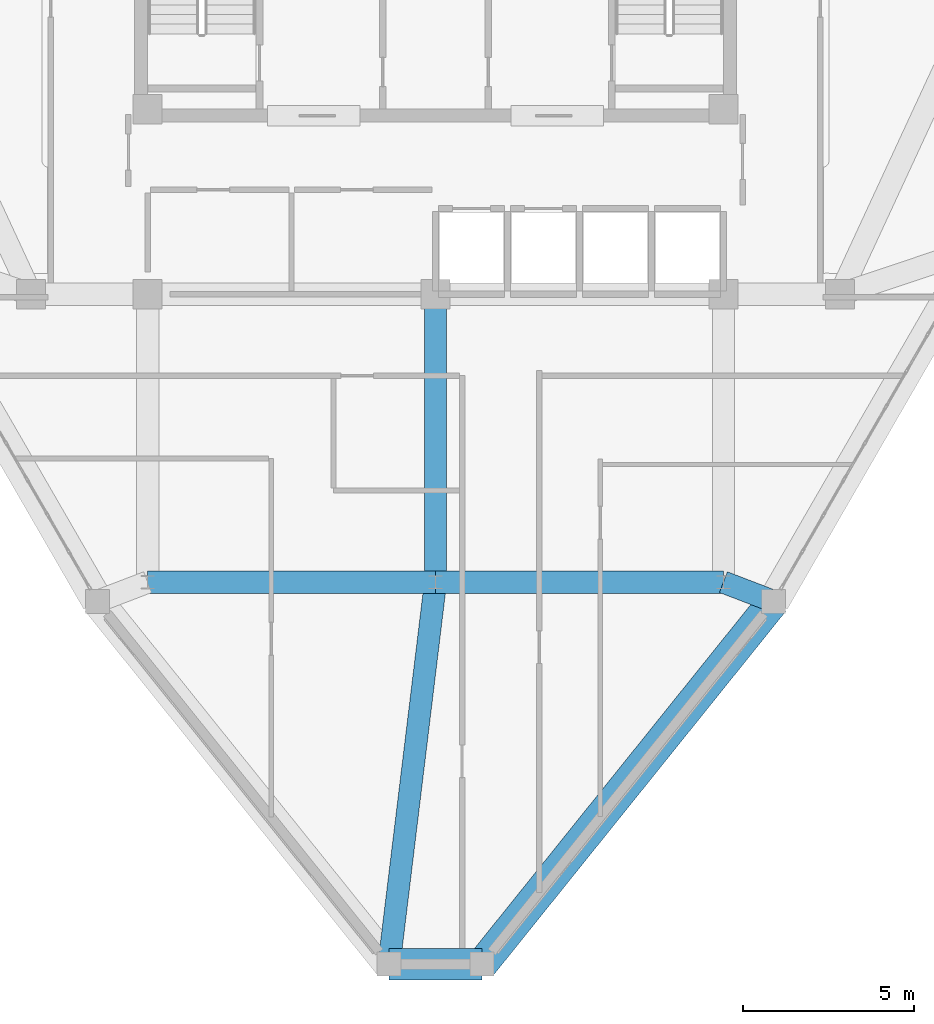
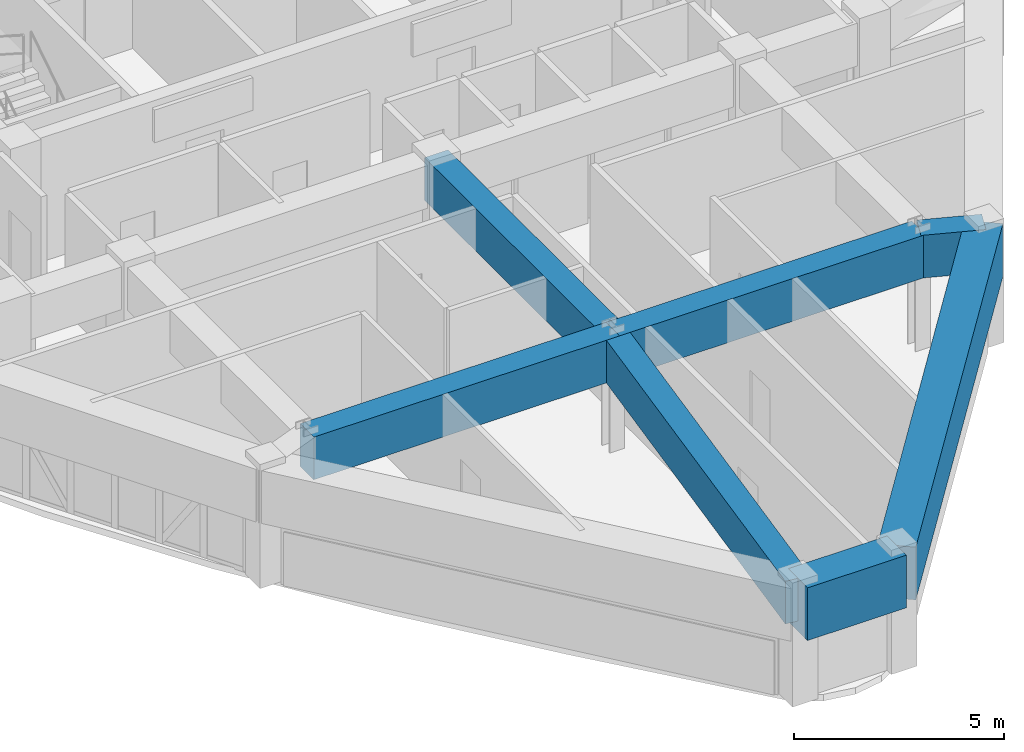
# One storey, part 3 of 14: 7 beams.
"""IFC4 building model written with IfcOpenShell, lengths in metres."""

from ifc_helpers import new_model, si_unit, derived_unit, direction, frame, origin, origin_2d, place, context, subcontext, project, spatial, rectangle, extrude, source, transform, mapped, material, material_profile, profile_set, type_object, element, save


model = new_model("IFC4")

# Units and contexts
model_context = context("Model", 3, precision=1e-05, world=origin(), true_north=direction((0.0, 1.0)))
body_context = subcontext(model_context, "Body", "Model", "MODEL_VIEW")
ifc_project = project(units=[si_unit("LENGTHUNIT", "METRE"), si_unit("AREAUNIT", "SQUARE_METRE"), si_unit("VOLUMEUNIT", "CUBIC_METRE"), si_unit("PLANEANGLEUNIT", "RADIAN"), si_unit("MASSUNIT", "GRAM", prefix="KILO"), derived_unit("THERMALTRANSMITTANCEUNIT", [(si_unit("POWERUNIT", "WATT"), 1), (si_unit("LENGTHUNIT", "METRE"), -2), (si_unit("THERMODYNAMICTEMPERATUREUNIT", "KELVIN"), -1)])], contexts=[model_context])

# Site, building, storey
site_placement = place(None, origin())
site = spatial("IfcSite", under=ifc_project, at=site_placement, CompositionType="ELEMENT")
building_placement = place(site_placement, origin())
building = spatial("IfcBuilding", under=site, at=building_placement, Name="Korsvarv Bourse and Concert Hall", CompositionType="ELEMENT")
storey_placement = place(building_placement, frame((0.0, 0.0, 257.39990234375)))
storey = spatial("IfcBuildingStorey", under=building, at=storey_placement, Name="L67", CompositionType="ELEMENT", Elevation=257.39990234375)

# Beams
ifc_material = material(Name="Concrete C50/60", Category="concrete")
ifc_material_profile_1 = material_profile(ifc_material, rectangle(XDim=0.64990234375, YDim=1.239990234375, at=origin_2d()), Name="RC-BM 650x1240")
ifc_profile_set_1 = profile_set([ifc_material_profile_1], Name="Concrete C50/60")
beam_type_1 = type_object("IfcBeamType", Name="BM-TR-SPN", PredefinedType="BEAM", material=ifc_profile_set_1)
shared_shape_1 = source(origin(), body_context, "Body", "SweptSolid", [
    extrude(rectangle(XDim=0.64990234375, YDim=1.239990234375, at=origin_2d()), origin(), (0.0, 0.0, 1.0), 8.39990234375),
])
for number, where, z_axis, x_axis, name in (
    (1, (27.60009765625, 24.0, 2.7900390625), (1.0, 0.0, 0.0), (0.0, 1.0, 0.0), "L67 beam B-TRS"),
    (2, (36.0, 24.0, 2.7900390625), (1.0, 0.0, 0.0), (0.0, 1.0, 0.0), "L67 beam B-TRS"),
    (3, (36.0, 24.0, 2.7900390625), (0.0, 1.0, 0.0), (-1.0, 0.0, 0.0), "L67 beam B-TRS"),
):
    element("IfcBeam", number, at=place(storey_placement, frame(where, z_axis=z_axis, x_axis=x_axis)), inside=storey, type_object=beam_type_1, Name=name, PredefinedType="BEAM", context=body_context, shape_type="MappedRepresentation", body=[
        mapped(shared_shape_1, transform((0.0, 0.0, 0.0), scale=1.0)),
    ])
ifc_material_profile_2 = material_profile(ifc_material, rectangle(XDim=0.919921875, YDim=1.530029296875, at=origin_2d()), Name="RC-BM 920x1530")
ifc_profile_set_2 = profile_set([ifc_material_profile_2], Name="Concrete C50/60")
beam_type_2 = type_object("IfcBeamType", Name="BM-TR-154", PredefinedType="BEAM", material=ifc_profile_set_2)
shared_shape_2 = source(origin(), body_context, "Body", "SweptSolid", [
    extrude(rectangle(XDim=0.919921875, YDim=1.530029296875, at=origin_2d()), origin(), (0.0, 0.0, 1.0), 2.71337890625),
])
beam_1_placement = place(storey_placement, frame((34.643310546875, 12.851806640625, 2.64501953125), z_axis=(1.0, 0.0, 0.0), x_axis=(0.0, 1.0, 0.0)))
element("IfcBeam", 4, at=beam_1_placement, inside=storey, type_object=beam_type_2, Name="L67 beam B-TR6", PredefinedType="BEAM", context=body_context, shape_type="MappedRepresentation", body=[
    mapped(shared_shape_2, transform((0.0, 0.0, 0.0), scale=1.0)),
])
shared_shape_3 = source(origin(), body_context, "Body", "SweptSolid", [
    extrude(rectangle(XDim=0.919921875, YDim=1.530029296875, at=origin_2d()), origin(), (0.0, 0.0, 1.0), 13.58203125),
])
beam_2_placement = place(storey_placement, frame((37.356689453125, 12.851806640625, 2.64501953125), z_axis=(0.626363997107, 0.779530719811, 0.0), x_axis=(-0.779530719811, 0.626363997107, 0.0)))
element("IfcBeam", 5, at=beam_2_placement, inside=storey, type_object=beam_type_2, Name="L67 beam B-TR6", PredefinedType="BEAM", context=body_context, shape_type="MappedRepresentation", body=[
    mapped(shared_shape_3, transform((0.0, 0.0, 0.0), scale=1.0)),
])
shared_shape_4 = source(origin(), body_context, "Body", "SweptSolid", [
    extrude(rectangle(XDim=0.64990234375, YDim=1.239990234375, at=origin_2d()), origin(), (0.0, 0.0, 1.0), 1.567626953125),
])
beam_3_placement = place(storey_placement, frame((45.864013671875, 23.439453125, 2.7900390625), z_axis=(-0.933894371826, 0.357549020796, 0.0), x_axis=(-0.357549020796, -0.933894371826, 0.0)))
element("IfcBeam", 6, at=beam_3_placement, inside=storey, type_object=beam_type_1, Name="L67 beam B-TRS", PredefinedType="BEAM", context=body_context, shape_type="MappedRepresentation", body=[
    mapped(shared_shape_4, transform((0.0, 0.0, 0.0), scale=1.0)),
])
shared_shape_5 = source(origin(), body_context, "Body", "SweptSolid", [
    extrude(rectangle(XDim=0.64990234375, YDim=1.239990234375, at=origin_2d()), origin(), (0.0, 0.0, 1.0), 11.23046875),
])
beam_4_placement = place(storey_placement, frame((34.643310546875, 12.851806640625, 2.7900390625), z_axis=(0.120804638477, 0.99267630138, 0.0), x_axis=(-0.99267630138, 0.120804638477, 0.0)))
element("IfcBeam", 7, at=beam_4_placement, inside=storey, type_object=beam_type_1, Name="L67 beam B-TRS", PredefinedType="BEAM", context=body_context, shape_type="MappedRepresentation", body=[
    mapped(shared_shape_5, transform((0.0, 0.0, 0.0), scale=1.0)),
])

save(model, "model.ifc")
